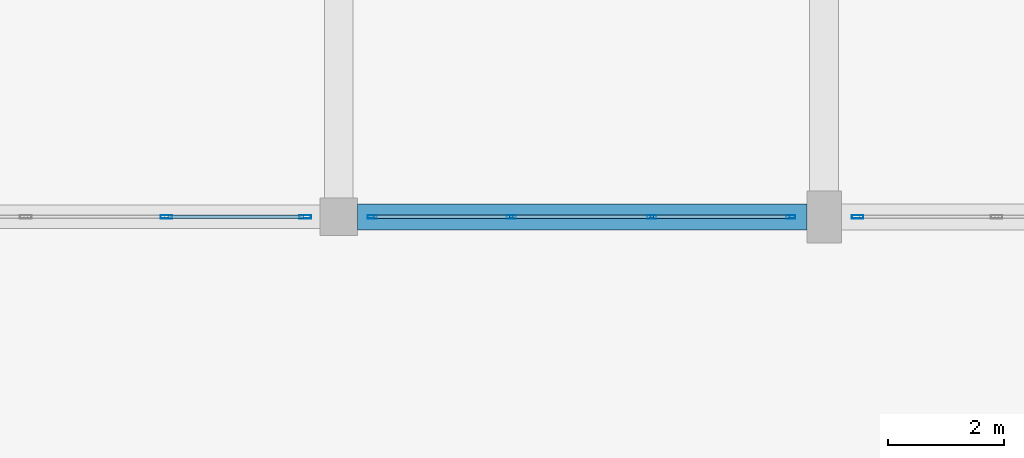
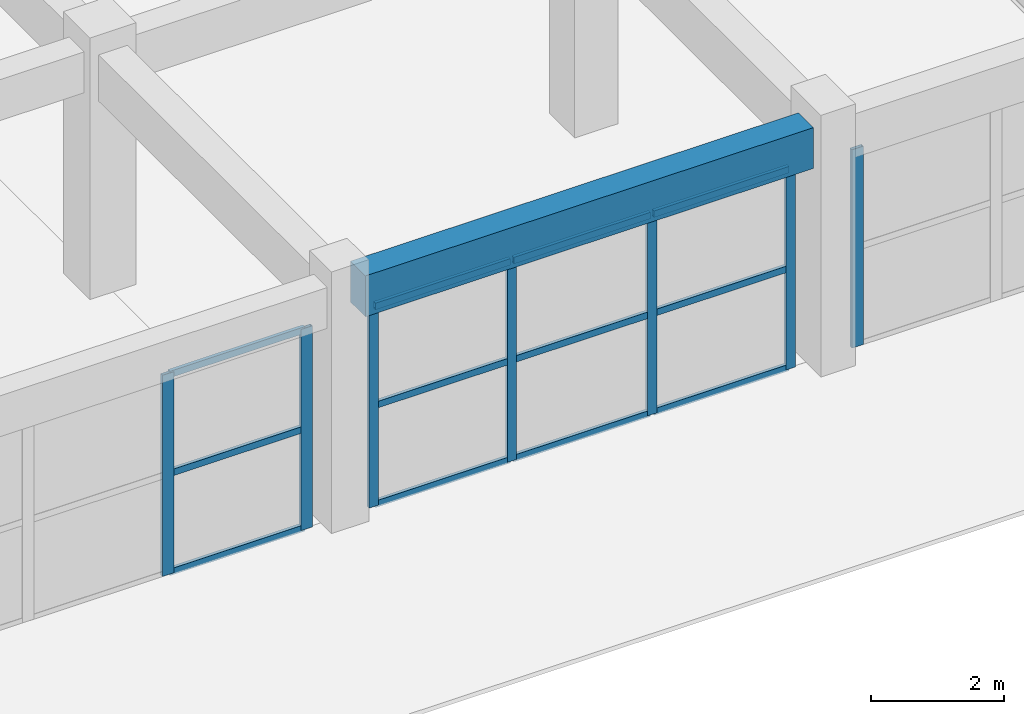
# One storey, part 13 of 72: 19 members, 1 beam, 3 elements without a shape of their own.
"""IFC4 building model written with IfcOpenShell, lengths in metres."""

from ifc_helpers import new_model, si_unit, direction, frame, origin, origin_2d, place, context, subcontext, project, spatial, rectangle, hollow_rectangle, extrude, material, material_profile, profile_set, type_object, element, aggregate, save


model = new_model("IFC4")

# Units and contexts
model_context = context("Model", 3, precision=1e-05, world=origin(), true_north=direction((0.0, 1.0)))
body_context = subcontext(model_context, "Body", "Model", "MODEL_VIEW")
ifc_project = project(units=[si_unit("LENGTHUNIT", "METRE"), si_unit("AREAUNIT", "SQUARE_METRE"), si_unit("VOLUMEUNIT", "CUBIC_METRE"), si_unit("PLANEANGLEUNIT", "RADIAN"), si_unit("MASSUNIT", "GRAM", prefix="KILO")], contexts=[model_context])

# Site, building, storey
site_placement = place(None, origin())
site = spatial("IfcSite", under=ifc_project, at=site_placement, CompositionType="ELEMENT")
building_placement = place(site_placement, origin())
building = spatial("IfcBuilding", under=site, at=building_placement, Name="Korsvaeld Concert Hall", CompositionType="ELEMENT")
storey_placement = place(building_placement, origin())
storey = spatial("IfcBuildingStorey", under=building, at=storey_placement, Name="L00", CompositionType="ELEMENT", Elevation=0.0)

# Beam
ifc_material_1 = material(Name="Concrete C35/45", Category="concrete")
ifc_material_profile_1 = material_profile(ifc_material_1, rectangle(XDim=0.449951171875, YDim=0.75, at=origin_2d()), Name="RC 450x750")
ifc_profile_set_1 = profile_set([ifc_material_profile_1], Name="Concrete C35/45")
beam_type = type_object("IfcBeamType", Name="BM-RC-450x750", PredefinedType="T_BEAM", material=ifc_profile_set_1)
beam_placement = place(storey_placement, frame((67.52490234375, 28.800048828125, 4.06494140625), z_axis=(1.0, 0.0, 0.0), x_axis=(0.0, 1.0, 0.0)))
element("IfcBeam", 1, at=beam_placement, inside=storey, type_object=beam_type, Name="Primary girder 10-11/E L00", PredefinedType="T_BEAM", context=body_context, shape_type="SweptSolid", body=[
    extrude(rectangle(XDim=0.449951171875, YDim=0.75, at=origin_2d()), origin(), (0.0, 0.0, 1.0), 7.775146484375),
])

# Curtain wall, members
ifc_material_2 = material(Name="Anodised bronze and ceramic-fritted safety glass", Category="glass")
curtain_wall_type_1 = type_object("IfcCurtainWallType", Name="CW-TYPE-13", PredefinedType="USERDEFINED", material=ifc_material_2)
curtain_wall_1_placement = place(storey_placement, origin())
curtain_wall_1 = element("IfcCurtainWall", 2, at=curtain_wall_1_placement, inside=storey, type_object=curtain_wall_type_1, Name="Wintergarden foyer curtain wall L00-05", ObjectType="CURTAIN WALL", PredefinedType="USERDEFINED")
ifc_material_3 = material(Name="Anodised architectural bronze aluminium", Category="aluminium")
ifc_material_profile_2 = material_profile(ifc_material_3, hollow_rectangle(XDim=0.06005859375, YDim=0.159912109375, WallThickness=0.00390625, at=origin_2d()), Name="CWM 160x60x4")
ifc_profile_set_2 = profile_set([ifc_material_profile_2], Name="Anodised architectural bronze aluminium")
member_type_1 = type_object("IfcMemberType", Name="CWM-ALUM-160x60", PredefinedType="MULLION", material=ifc_profile_set_2)
member_1_placement = place(storey_placement, frame((75.02001953125, 28.800048828125, 0.0), z_axis=(0.0, 0.0, 1.0), x_axis=(0.0, -1.0, 0.0)))
member_1 = element("IfcMember", 3, at=member_1_placement, type_object=member_type_1, Name="CW-13 mullion 1", PredefinedType="MULLION", context=body_context, shape_type="SweptSolid", body=[
    extrude(hollow_rectangle(XDim=0.06005859375, YDim=0.159912109375, WallThickness=0.00390625, at=origin_2d()), origin(), (0.0, 0.0, 1.0), 3.68994140625),
])
member_2_placement = place(storey_placement, frame((72.61669921875, 28.800048828125, 0.0), z_axis=(0.0, 0.0, 1.0), x_axis=(0.0, -1.0, 0.0)))
member_2 = element("IfcMember", 4, at=member_2_placement, type_object=member_type_1, Name="CW-13 mullion 2", PredefinedType="MULLION", context=body_context, shape_type="SweptSolid", body=[
    extrude(hollow_rectangle(XDim=0.06005859375, YDim=0.159912109375, WallThickness=0.00390625, at=origin_2d()), origin(), (0.0, 0.0, 1.0), 3.68994140625),
])
member_3_placement = place(storey_placement, frame((70.183349609375, 28.800048828125, 0.0), z_axis=(0.0, 0.0, 1.0), x_axis=(0.0, -1.0, 0.0)))
member_3 = element("IfcMember", 5, at=member_3_placement, type_object=member_type_1, Name="CW-13 mullion 3", PredefinedType="MULLION", context=body_context, shape_type="SweptSolid", body=[
    extrude(hollow_rectangle(XDim=0.06005859375, YDim=0.159912109375, WallThickness=0.00390625, at=origin_2d()), origin(), (0.0, 0.0, 1.0), 3.68994140625),
])
member_4_placement = place(storey_placement, frame((67.780029296875, 28.800048828125, 0.0), z_axis=(0.0, 0.0, 1.0), x_axis=(0.0, -1.0, 0.0)))
member_4 = element("IfcMember", 6, at=member_4_placement, type_object=member_type_1, Name="CW-13 mullion 4", PredefinedType="MULLION", context=body_context, shape_type="SweptSolid", body=[
    extrude(hollow_rectangle(XDim=0.06005859375, YDim=0.159912109375, WallThickness=0.00390625, at=origin_2d()), origin(), (0.0, 0.0, 1.0), 3.68994140625),
])

# Curtain wall, member
curtain_wall_type_2 = type_object("IfcCurtainWallType", Name="CW-TYPE-12", PredefinedType="USERDEFINED", material=ifc_material_2)
curtain_wall_2_placement = place(storey_placement, origin())
curtain_wall_2 = element("IfcCurtainWall", 7, at=curtain_wall_2_placement, inside=storey, type_object=curtain_wall_type_2, Name="Wintergarden foyer curtain wall L00-04", ObjectType="CURTAIN WALL", PredefinedType="USERDEFINED")
ifc_material_profile_3 = material_profile(ifc_material_3, hollow_rectangle(XDim=0.06005859375, YDim=0.199951171875, WallThickness=0.0048828125, at=origin_2d()), Name="CWM 200x60x5")
ifc_profile_set_3 = profile_set([ifc_material_profile_3], Name="Anodised architectural bronze aluminium")
member_type_2 = type_object("IfcMemberType", Name="CWM-ALUM-200x60", PredefinedType="MULLION", material=ifc_profile_set_3)
member_5_placement = place(storey_placement, frame((76.179931640625, 28.800048828125, 0.0), z_axis=(0.0, 0.0, 1.0), x_axis=(0.0, -1.0, 0.0)))
member_5 = element("IfcMember", 8, at=member_5_placement, type_object=member_type_2, Name="CW-12 mullion 4", PredefinedType="MULLION", context=body_context, shape_type="SweptSolid", body=[
    extrude(hollow_rectangle(XDim=0.06005859375, YDim=0.199951171875, WallThickness=0.0048828125, at=origin_2d()), origin(), (0.0, 0.0, 1.0), 3.639892578125),
])
aggregate(curtain_wall_2, [member_5])

# Curtain wall, members
curtain_wall_type_3 = type_object("IfcCurtainWallType", Name="CW-TYPE-14", PredefinedType="USERDEFINED", material=ifc_material_2)
curtain_wall_3_placement = place(storey_placement, origin())
curtain_wall_3 = element("IfcCurtainWall", 9, at=curtain_wall_3_placement, inside=storey, type_object=curtain_wall_type_3, Name="Wintergarden foyer curtain wall L00-06", ObjectType="CURTAIN WALL", PredefinedType="USERDEFINED")
member_6_placement = place(storey_placement, frame((66.6201171875, 28.800048828125, 0.0), z_axis=(0.0, 0.0, 1.0), x_axis=(0.0, -1.0, 0.0)))
member_6 = element("IfcMember", 10, at=member_6_placement, type_object=member_type_2, Name="CW-14 mullion 1", PredefinedType="MULLION", context=body_context, shape_type="SweptSolid", body=[
    extrude(hollow_rectangle(XDim=0.06005859375, YDim=0.199951171875, WallThickness=0.0048828125, at=origin_2d()), origin(), (0.0, 0.0, 1.0), 3.68994140625),
])
member_7_placement = place(storey_placement, frame((64.216552734375, 28.800048828125, 0.0), z_axis=(0.0, 0.0, 1.0), x_axis=(0.0, -1.0, 0.0)))
member_7 = element("IfcMember", 11, at=member_7_placement, type_object=member_type_2, Name="CW-14 mullion 2", PredefinedType="MULLION", context=body_context, shape_type="SweptSolid", body=[
    extrude(hollow_rectangle(XDim=0.06005859375, YDim=0.199951171875, WallThickness=0.0048828125, at=origin_2d()), origin(), (0.0, 0.0, 1.0), 3.68994140625),
])

# Member
ifc_material_profile_4 = material_profile(ifc_material_3, hollow_rectangle(XDim=0.06005859375, YDim=0.1201171875, WallThickness=0.00390625, at=origin_2d()), Name="CWT 120x60x4")
ifc_profile_set_4 = profile_set([ifc_material_profile_4], Name="Anodised architectural bronze aluminium")
member_type_3 = type_object("IfcMemberType", Name="CWT-ALUM-120x60", PredefinedType="USERDEFINED", material=ifc_profile_set_4)
member_8_placement = place(storey_placement, frame((74.989990234375, 28.800048828125, 0.030029296875), z_axis=(-1.0, 0.0, 0.0), x_axis=(0.0, -1.0, 0.0)))
member_8 = element("IfcMember", 12, at=member_8_placement, type_object=member_type_3, Name="CW-13 transom 1.1", ObjectType="TRANSOM", PredefinedType="USERDEFINED", context=body_context, shape_type="SweptSolid", body=[
    extrude(hollow_rectangle(XDim=0.06005859375, YDim=0.1201171875, WallThickness=0.00390625, at=origin_2d()), origin(), (0.0, 0.0, 1.0), 2.34326171875),
])

member_9_placement = place(storey_placement, frame((74.989990234375, 28.800048828125, 1.844970703125), z_axis=(-1.0, 0.0, 0.0), x_axis=(0.0, -1.0, 0.0)))
member_9 = element("IfcMember", 13, at=member_9_placement, type_object=member_type_3, Name="CW-13 transom 1.2", ObjectType="TRANSOM", PredefinedType="USERDEFINED", context=body_context, shape_type="SweptSolid", body=[
    extrude(hollow_rectangle(XDim=0.06005859375, YDim=0.1201171875, WallThickness=0.00390625, at=origin_2d()), origin(), (0.0, 0.0, 1.0), 2.34326171875),
])

member_10_placement = place(storey_placement, frame((74.989990234375, 28.800048828125, 3.659912109375), z_axis=(-1.0, 0.0, 0.0), x_axis=(0.0, -1.0, 0.0)))
member_10 = element("IfcMember", 14, at=member_10_placement, type_object=member_type_3, Name="CW-13 transom 1.3", ObjectType="TRANSOM", PredefinedType="USERDEFINED", context=body_context, shape_type="SweptSolid", body=[
    extrude(hollow_rectangle(XDim=0.06005859375, YDim=0.1201171875, WallThickness=0.00390625, at=origin_2d()), origin(), (0.0, 0.0, 1.0), 2.34326171875),
])

member_11_placement = place(storey_placement, frame((72.586669921875, 28.800048828125, 0.030029296875), z_axis=(-1.0, 0.0, 0.0), x_axis=(0.0, -1.0, 0.0)))
member_11 = element("IfcMember", 15, at=member_11_placement, type_object=member_type_3, Name="CW-13 transom 2.1", ObjectType="TRANSOM", PredefinedType="USERDEFINED", context=body_context, shape_type="SweptSolid", body=[
    extrude(hollow_rectangle(XDim=0.06005859375, YDim=0.1201171875, WallThickness=0.00390625, at=origin_2d()), origin(), (0.0, 0.0, 1.0), 2.373291015625),
])

member_12_placement = place(storey_placement, frame((72.586669921875, 28.800048828125, 1.844970703125), z_axis=(-1.0, 0.0, 0.0), x_axis=(0.0, -1.0, 0.0)))
member_12 = element("IfcMember", 16, at=member_12_placement, type_object=member_type_3, Name="CW-13 transom 2.2", ObjectType="TRANSOM", PredefinedType="USERDEFINED", context=body_context, shape_type="SweptSolid", body=[
    extrude(hollow_rectangle(XDim=0.06005859375, YDim=0.1201171875, WallThickness=0.00390625, at=origin_2d()), origin(), (0.0, 0.0, 1.0), 2.373291015625),
])

member_13_placement = place(storey_placement, frame((72.586669921875, 28.800048828125, 3.659912109375), z_axis=(-1.0, 0.0, 0.0), x_axis=(0.0, -1.0, 0.0)))
member_13 = element("IfcMember", 17, at=member_13_placement, type_object=member_type_3, Name="CW-13 transom 2.3", ObjectType="TRANSOM", PredefinedType="USERDEFINED", context=body_context, shape_type="SweptSolid", body=[
    extrude(hollow_rectangle(XDim=0.06005859375, YDim=0.1201171875, WallThickness=0.00390625, at=origin_2d()), origin(), (0.0, 0.0, 1.0), 2.373291015625),
])

member_14_placement = place(storey_placement, frame((70.1533203125, 28.800048828125, 0.030029296875), z_axis=(-1.0, 0.0, 0.0), x_axis=(0.0, -1.0, 0.0)))
member_14 = element("IfcMember", 18, at=member_14_placement, type_object=member_type_3, Name="CW-13 transom 3.1", ObjectType="TRANSOM", PredefinedType="USERDEFINED", context=body_context, shape_type="SweptSolid", body=[
    extrude(hollow_rectangle(XDim=0.06005859375, YDim=0.1201171875, WallThickness=0.00390625, at=origin_2d()), origin(), (0.0, 0.0, 1.0), 2.34326171875),
])

member_15_placement = place(storey_placement, frame((70.1533203125, 28.800048828125, 1.844970703125), z_axis=(-1.0, 0.0, 0.0), x_axis=(0.0, -1.0, 0.0)))
member_15 = element("IfcMember", 19, at=member_15_placement, type_object=member_type_3, Name="CW-13 transom 3.2", ObjectType="TRANSOM", PredefinedType="USERDEFINED", context=body_context, shape_type="SweptSolid", body=[
    extrude(hollow_rectangle(XDim=0.06005859375, YDim=0.1201171875, WallThickness=0.00390625, at=origin_2d()), origin(), (0.0, 0.0, 1.0), 2.34326171875),
])

member_16_placement = place(storey_placement, frame((70.1533203125, 28.800048828125, 3.659912109375), z_axis=(-1.0, 0.0, 0.0), x_axis=(0.0, -1.0, 0.0)))
member_16 = element("IfcMember", 20, at=member_16_placement, type_object=member_type_3, Name="CW-13 transom 3.3", ObjectType="TRANSOM", PredefinedType="USERDEFINED", context=body_context, shape_type="SweptSolid", body=[
    extrude(hollow_rectangle(XDim=0.06005859375, YDim=0.1201171875, WallThickness=0.00390625, at=origin_2d()), origin(), (0.0, 0.0, 1.0), 2.34326171875),
])

aggregate(curtain_wall_1, [member_1, member_2, member_3, member_4, member_8, member_9, member_10, member_11, member_12, member_13, member_14, member_15, member_16])

member_17_placement = place(storey_placement, frame((66.590087890625, 28.800048828125, 0.030029296875), z_axis=(-1.0, 0.0, 0.0), x_axis=(0.0, -1.0, 0.0)))
member_17 = element("IfcMember", 21, at=member_17_placement, type_object=member_type_3, Name="CW-14 transom 1.1", ObjectType="TRANSOM", PredefinedType="USERDEFINED", context=body_context, shape_type="SweptSolid", body=[
    extrude(hollow_rectangle(XDim=0.06005859375, YDim=0.1201171875, WallThickness=0.00390625, at=origin_2d()), origin(), (0.0, 0.0, 1.0), 2.343505859375),
])

member_18_placement = place(storey_placement, frame((66.590087890625, 28.800048828125, 1.844970703125), z_axis=(-1.0, 0.0, 0.0), x_axis=(0.0, -1.0, 0.0)))
member_18 = element("IfcMember", 22, at=member_18_placement, type_object=member_type_3, Name="CW-14 transom 1.2", ObjectType="TRANSOM", PredefinedType="USERDEFINED", context=body_context, shape_type="SweptSolid", body=[
    extrude(hollow_rectangle(XDim=0.06005859375, YDim=0.1201171875, WallThickness=0.00390625, at=origin_2d()), origin(), (0.0, 0.0, 1.0), 2.343505859375),
])

member_19_placement = place(storey_placement, frame((66.590087890625, 28.800048828125, 3.659912109375), z_axis=(-1.0, 0.0, 0.0), x_axis=(0.0, -1.0, 0.0)))
member_19 = element("IfcMember", 23, at=member_19_placement, type_object=member_type_3, Name="CW-14 transom 1.3", ObjectType="TRANSOM", PredefinedType="USERDEFINED", context=body_context, shape_type="SweptSolid", body=[
    extrude(hollow_rectangle(XDim=0.06005859375, YDim=0.1201171875, WallThickness=0.00390625, at=origin_2d()), origin(), (0.0, 0.0, 1.0), 2.343505859375),
])

aggregate(curtain_wall_3, [member_6, member_7, member_17, member_18, member_19])

save(model, "model.ifc")
